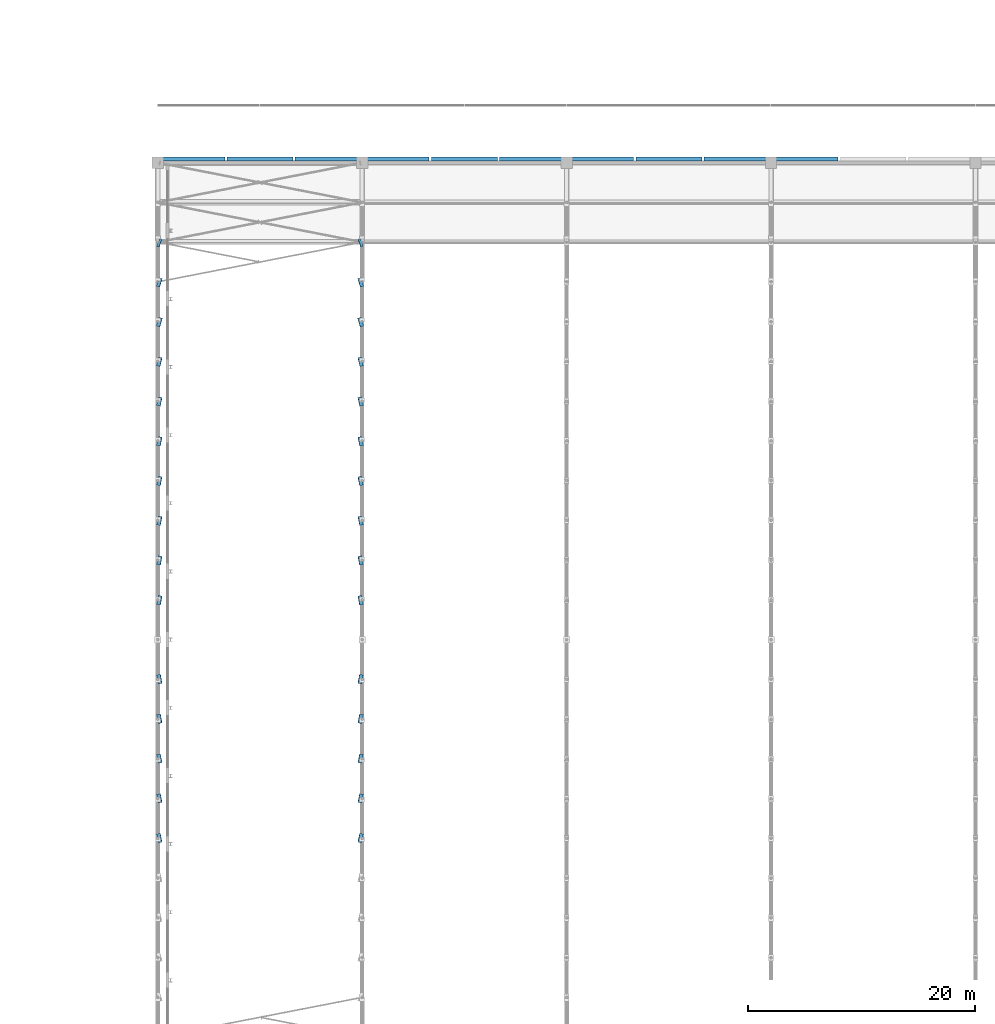
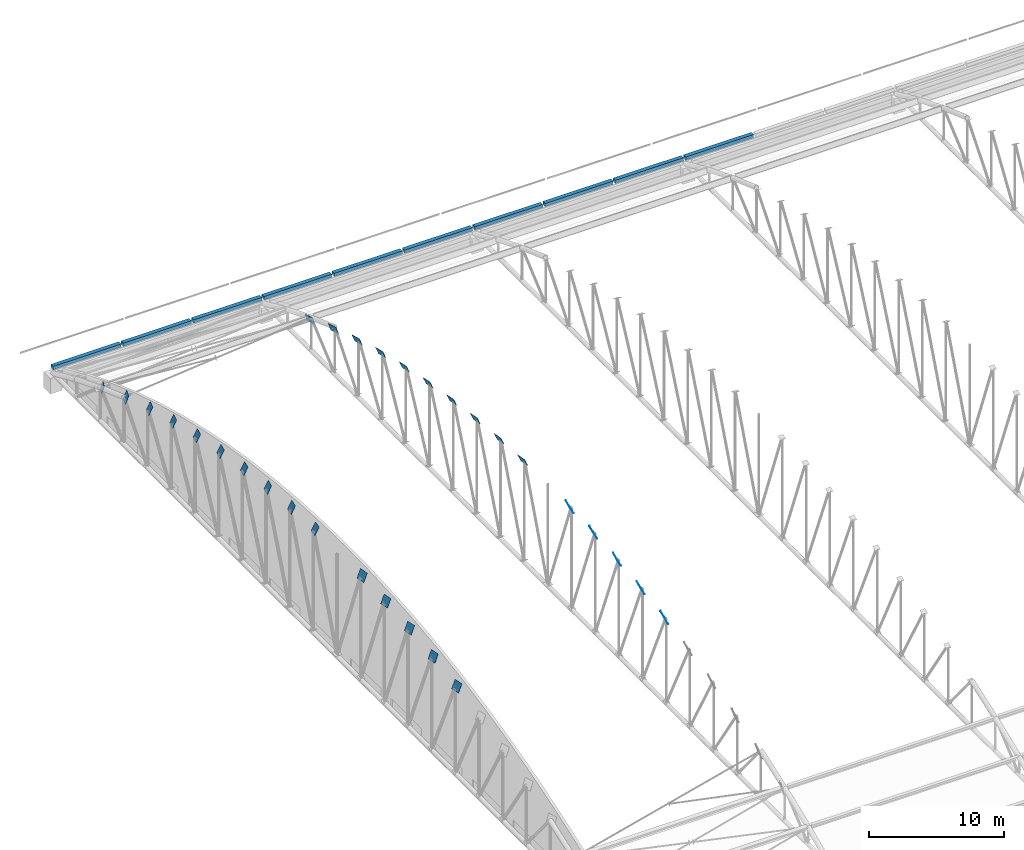
# One storey, part 139 of 196: 40 discrete accessories.
"""IFC4 building model written with IfcOpenShell, lengths in metres."""

from ifc_helpers import new_model, si_unit, direction, frame, origin, origin_2d, place, context, subcontext, project, spatial, rectangle, extrude, material, layer, layer_set, type_object, element, save


model = new_model("IFC4")

# Units and contexts
model_context = context("Model", 3, precision=1e-05, world=origin(), true_north=direction((0.0, 1.0)))
body_context = subcontext(model_context, "Body", "Model", "MODEL_VIEW")
ifc_project = project(units=[si_unit("LENGTHUNIT", "METRE"), si_unit("AREAUNIT", "SQUARE_METRE"), si_unit("VOLUMEUNIT", "CUBIC_METRE"), si_unit("PLANEANGLEUNIT", "RADIAN"), si_unit("MASSUNIT", "GRAM", prefix="KILO")], contexts=[model_context])

# Site, building, storey
site_placement = place(None, origin())
site = spatial("IfcSite", under=ifc_project, at=site_placement, CompositionType="ELEMENT")
building_placement = place(site_placement, origin())
building = spatial("IfcBuilding", under=site, at=building_placement, Name="Okhra Congress Centre", CompositionType="ELEMENT")
storey_placement = place(building_placement, frame((0.0, 0.0, 12.0)))
storey = spatial("IfcBuildingStorey", under=building, at=storey_placement, Name="L02", CompositionType="ELEMENT", Elevation=12.0)

# Discrete accessories
ifc_material_1 = material(Name="Steel S355J2", Category="steel")
ifc_layer = layer(ifc_material_1, 0.02001953125)
ifc_layer_set = layer_set([ifc_layer], Name="Brace end connection plate 20 mm S355")
discrete_accessory_type_1 = type_object("IfcDiscreteAccessoryType", Name="Brace end connection plate 20 mm S355", PredefinedType="BRACKET", material=ifc_layer_set)
discrete_accessory_1_placement = place(storey_placement, frame((28.150390625, 156.531494140625, 9.16259765625), z_axis=(-0.891172137936, -0.18311756259, 0.415066475203), x_axis=(0.20127429835, -0.979534918634, 0.0)))
element("IfcDiscreteAccessory", 1, at=discrete_accessory_1_placement, inside=storey, type_object=discrete_accessory_type_1, Name="Brace end connection plate", PredefinedType="BRACKET", context=body_context, shape_type="SweptSolid", body=[
    extrude(rectangle(XDim=0.7919921875, YDim=0.7919921875, at=origin_2d()), origin(), (0.0, 0.0, 1.0), 0.02001953125),
])
for number, where, z_axis, x_axis, name in (
    (2, (28.150634765625, 160.02978515625, 9.728515625), (-0.89310418461, -0.171280254583, 0.415966332558), (0.188348382319, -0.982102279235, 0.0), "Brace end connection plate"),
    (3, (28.150634765625, 163.528564453125, 10.166259765625), (-0.89310418461, -0.171280254583, 0.415966332558), (0.188348382319, -0.982102279235, 0.0), "Brace end connection plate"),
):
    element("IfcDiscreteAccessory", number, at=place(storey_placement, frame(where, z_axis=z_axis, x_axis=x_axis)), inside=storey, type_object=discrete_accessory_type_1, Name=name, PredefinedType="BRACKET", context=body_context, shape_type="SweptSolid", body=[
        extrude(rectangle(XDim=0.79296875, YDim=0.79296875, at=origin_2d()), origin(), (0.0, 0.0, 1.0), 0.02001953125),
    ])
discrete_accessory_2_placement = place(storey_placement, frame((28.15087890625, 167.02783203125, 10.4775390625), z_axis=(-0.890310108805, -0.158548375541, 0.426861011071), x_axis=(0.175323844201, -0.984510817439, 0.0)))
element("IfcDiscreteAccessory", 4, at=discrete_accessory_2_placement, inside=storey, type_object=discrete_accessory_type_1, Name="Brace end connection plate", PredefinedType="BRACKET", context=body_context, shape_type="SweptSolid", body=[
    extrude(rectangle(XDim=0.794921875, YDim=0.794921875, at=origin_2d()), origin(), (0.0, 0.0, 1.0), 0.02001953125),
])
for number, where, z_axis, x_axis, name in (
    (5, (28.15087890625, 170.527587890625, 10.663330078125), (-0.890310108805, -0.158548375541, 0.426861011071), (0.175323844201, -0.984510817439, 0.0), "Brace end connection plate"),
    (6, (28.15087890625, 177.472412109375, 10.663330078125), (-0.890310108805, 0.158548375541, 0.426861011071), (-0.175323844201, -0.984510817439, 0.0), "Brace end connection plate"),
):
    element("IfcDiscreteAccessory", number, at=place(storey_placement, frame(where, z_axis=z_axis, x_axis=x_axis)), inside=storey, type_object=discrete_accessory_type_1, Name=name, PredefinedType="BRACKET", context=body_context, shape_type="SweptSolid", body=[
        extrude(rectangle(XDim=0.797119140625, YDim=0.797119140625, at=origin_2d()), origin(), (0.0, 0.0, 1.0), 0.02001953125),
    ])
discrete_accessory_3_placement = place(storey_placement, frame((28.15087890625, 180.97216796875, 10.4775390625), z_axis=(-0.890310108805, 0.158548375541, 0.426861011071), x_axis=(-0.175323844201, -0.984510817439, 0.0)))
element("IfcDiscreteAccessory", 7, at=discrete_accessory_3_placement, inside=storey, type_object=discrete_accessory_type_1, Name="Brace end connection plate", PredefinedType="BRACKET", context=body_context, shape_type="SweptSolid", body=[
    extrude(rectangle(XDim=0.794921875, YDim=0.794921875, at=origin_2d()), origin(), (0.0, 0.0, 1.0), 0.02001953125),
])
for number, where, z_axis, x_axis, name in (
    (8, (28.150634765625, 184.471435546875, 10.166259765625), (-0.89310418461, 0.171280254583, 0.415966332558), (-0.188348382319, -0.982102279235, 0.0), "Brace end connection plate"),
    (9, (28.150634765625, 187.97021484375, 9.728515625), (-0.89310418461, 0.171280254583, 0.415966332558), (-0.188348382319, -0.982102279235, 0.0), "Brace end connection plate"),
):
    element("IfcDiscreteAccessory", number, at=place(storey_placement, frame(where, z_axis=z_axis, x_axis=x_axis)), inside=storey, type_object=discrete_accessory_type_1, Name=name, PredefinedType="BRACKET", context=body_context, shape_type="SweptSolid", body=[
        extrude(rectangle(XDim=0.79296875, YDim=0.79296875, at=origin_2d()), origin(), (0.0, 0.0, 1.0), 0.02001953125),
    ])
discrete_accessory_4_placement = place(storey_placement, frame((28.150390625, 191.468505859375, 9.16259765625), z_axis=(-0.891172137936, 0.18311756259, 0.415066475203), x_axis=(-0.20127429835, -0.979534918634, 0.0)))
element("IfcDiscreteAccessory", 10, at=discrete_accessory_4_placement, inside=storey, type_object=discrete_accessory_type_1, Name="Brace end connection plate", PredefinedType="BRACKET", context=body_context, shape_type="SweptSolid", body=[
    extrude(rectangle(XDim=0.7919921875, YDim=0.7919921875, at=origin_2d()), origin(), (0.0, 0.0, 1.0), 0.02001953125),
])
discrete_accessory_5_placement = place(storey_placement, frame((28.150390625, 194.966064453125, 8.46630859375), z_axis=(-0.88652742044, 0.197006093431, 0.418637948541), x_axis=(-0.216930457819, -0.976187060184, 0.0)))
element("IfcDiscreteAccessory", 11, at=discrete_accessory_5_placement, inside=storey, type_object=discrete_accessory_type_1, Name="Brace end connection plate", PredefinedType="BRACKET", context=body_context, shape_type="SweptSolid", body=[
    extrude(rectangle(XDim=0.7919921875, YDim=0.7919921875, at=origin_2d()), origin(), (0.0, 0.0, 1.0), 0.019775390625),
])
discrete_accessory_6_placement = place(storey_placement, frame((28.150634765625, 198.46240234375, 7.63720703125), z_axis=(-0.893371661161, 0.2202834233, 0.391614974756), x_axis=(-0.239404887501, -0.97091982153, 0.0)))
element("IfcDiscreteAccessory", 12, at=discrete_accessory_6_placement, inside=storey, type_object=discrete_accessory_type_1, Name="Brace end connection plate", PredefinedType="BRACKET", context=body_context, shape_type="SweptSolid", body=[
    extrude(rectangle(XDim=0.79296875, YDim=0.79296875, at=origin_2d()), origin(), (0.0, 0.0, 1.0), 0.02001953125),
])
discrete_accessory_7_placement = place(storey_placement, frame((28.15087890625, 201.95703125, 6.671630859375), z_axis=(-0.885645843718, 0.254774831754, 0.388228315054), x_axis=(-0.2764594172, -0.961025593125, 0.0)))
element("IfcDiscreteAccessory", 13, at=discrete_accessory_7_placement, inside=storey, type_object=discrete_accessory_type_1, Name="Brace end connection plate", PredefinedType="BRACKET", context=body_context, shape_type="SweptSolid", body=[
    extrude(rectangle(XDim=0.794921875, YDim=0.794921875, at=origin_2d()), origin(), (0.0, 0.0, 1.0), 0.02001953125),
])
discrete_accessory_8_placement = place(storey_placement, frame((28.1513671875, 205.448974609375, 5.566650390625), z_axis=(-0.891903506248, 0.281010693749, 0.354317831249), x_axis=(-0.300506003221, -0.953779923267, 0.0)))
element("IfcDiscreteAccessory", 14, at=discrete_accessory_8_placement, inside=storey, type_object=discrete_accessory_type_1, Name="Brace end connection plate", PredefinedType="BRACKET", context=body_context, shape_type="SweptSolid", body=[
    extrude(rectangle(XDim=0.800048828125, YDim=0.800048828125, at=origin_2d()), origin(), (0.0, 0.0, 1.0), 0.02001953125),
])
discrete_accessory_9_placement = place(storey_placement, frame((28.151611328125, 208.935302734375, 4.318603515625), z_axis=(-0.888791088931, 0.353081391493, 0.292205289512), x_axis=(-0.36919466432, -0.929352086046, 0.0)))
element("IfcDiscreteAccessory", 15, at=discrete_accessory_9_placement, inside=storey, type_object=discrete_accessory_type_1, Name="Brace end connection plate", PredefinedType="BRACKET", context=body_context, shape_type="SweptSolid", body=[
    extrude(rectangle(XDim=0.73193359375, YDim=0.73193359375, at=origin_2d()), origin(), (0.0, 0.0, 1.0), 0.02001953125),
])
discrete_accessory_10_placement = place(storey_placement, frame((45.849609375, 156.531494140625, 9.16259765625), z_axis=(0.891172137936, -0.18311756259, 0.415066475203), x_axis=(0.20127429835, 0.979534918634, 0.0)))
element("IfcDiscreteAccessory", 16, at=discrete_accessory_10_placement, inside=storey, type_object=discrete_accessory_type_1, Name="Brace end connection plate", PredefinedType="BRACKET", context=body_context, shape_type="SweptSolid", body=[
    extrude(rectangle(XDim=0.7919921875, YDim=0.7919921875, at=origin_2d()), origin(), (0.0, 0.0, 1.0), 0.02001953125),
])
for number, where, z_axis, x_axis, name in (
    (17, (45.849365234375, 160.02978515625, 9.728515625), (0.89310418461, -0.171280254583, 0.415966332558), (0.188348382319, 0.982102279235, 0.0), "Brace end connection plate"),
    (18, (45.849365234375, 163.528564453125, 10.166259765625), (0.89310418461, -0.171280254583, 0.415966332558), (0.188348382319, 0.982102279235, 0.0), "Brace end connection plate"),
):
    element("IfcDiscreteAccessory", number, at=place(storey_placement, frame(where, z_axis=z_axis, x_axis=x_axis)), inside=storey, type_object=discrete_accessory_type_1, Name=name, PredefinedType="BRACKET", context=body_context, shape_type="SweptSolid", body=[
        extrude(rectangle(XDim=0.79296875, YDim=0.79296875, at=origin_2d()), origin(), (0.0, 0.0, 1.0), 0.02001953125),
    ])
discrete_accessory_11_placement = place(storey_placement, frame((45.84912109375, 167.02783203125, 10.4775390625), z_axis=(0.890310108805, -0.158548375541, 0.426861011071), x_axis=(0.175323844201, 0.984510817439, 0.0)))
element("IfcDiscreteAccessory", 19, at=discrete_accessory_11_placement, inside=storey, type_object=discrete_accessory_type_1, Name="Brace end connection plate", PredefinedType="BRACKET", context=body_context, shape_type="SweptSolid", body=[
    extrude(rectangle(XDim=0.794921875, YDim=0.794921875, at=origin_2d()), origin(), (0.0, 0.0, 1.0), 0.02001953125),
])
for number, where, z_axis, x_axis, name in (
    (20, (45.84912109375, 170.527587890625, 10.663330078125), (0.890310108805, -0.158548375541, 0.426861011071), (0.175323844201, 0.984510817439, 0.0), "Brace end connection plate"),
    (21, (45.84912109375, 177.472412109375, 10.663330078125), (0.890310108805, 0.158548375541, 0.426861011071), (-0.175323844201, 0.984510817439, 0.0), "Brace end connection plate"),
):
    element("IfcDiscreteAccessory", number, at=place(storey_placement, frame(where, z_axis=z_axis, x_axis=x_axis)), inside=storey, type_object=discrete_accessory_type_1, Name=name, PredefinedType="BRACKET", context=body_context, shape_type="SweptSolid", body=[
        extrude(rectangle(XDim=0.797119140625, YDim=0.797119140625, at=origin_2d()), origin(), (0.0, 0.0, 1.0), 0.02001953125),
    ])
discrete_accessory_12_placement = place(storey_placement, frame((45.84912109375, 180.97216796875, 10.4775390625), z_axis=(0.890310108805, 0.158548375541, 0.426861011071), x_axis=(-0.175323844201, 0.984510817439, 0.0)))
element("IfcDiscreteAccessory", 22, at=discrete_accessory_12_placement, inside=storey, type_object=discrete_accessory_type_1, Name="Brace end connection plate", PredefinedType="BRACKET", context=body_context, shape_type="SweptSolid", body=[
    extrude(rectangle(XDim=0.794921875, YDim=0.794921875, at=origin_2d()), origin(), (0.0, 0.0, 1.0), 0.02001953125),
])
for number, where, z_axis, x_axis, name in (
    (23, (45.849365234375, 184.471435546875, 10.166259765625), (0.89310418461, 0.171280254583, 0.415966332558), (-0.188348382319, 0.982102279235, 0.0), "Brace end connection plate"),
    (24, (45.849365234375, 187.97021484375, 9.728515625), (0.89310418461, 0.171280254583, 0.415966332558), (-0.188348382319, 0.982102279235, 0.0), "Brace end connection plate"),
):
    element("IfcDiscreteAccessory", number, at=place(storey_placement, frame(where, z_axis=z_axis, x_axis=x_axis)), inside=storey, type_object=discrete_accessory_type_1, Name=name, PredefinedType="BRACKET", context=body_context, shape_type="SweptSolid", body=[
        extrude(rectangle(XDim=0.79296875, YDim=0.79296875, at=origin_2d()), origin(), (0.0, 0.0, 1.0), 0.02001953125),
    ])
discrete_accessory_13_placement = place(storey_placement, frame((45.849609375, 191.468505859375, 9.16259765625), z_axis=(0.891172137936, 0.18311756259, 0.415066475203), x_axis=(-0.20127429835, 0.979534918634, 0.0)))
element("IfcDiscreteAccessory", 25, at=discrete_accessory_13_placement, inside=storey, type_object=discrete_accessory_type_1, Name="Brace end connection plate", PredefinedType="BRACKET", context=body_context, shape_type="SweptSolid", body=[
    extrude(rectangle(XDim=0.7919921875, YDim=0.7919921875, at=origin_2d()), origin(), (0.0, 0.0, 1.0), 0.02001953125),
])
discrete_accessory_14_placement = place(storey_placement, frame((45.849609375, 194.966064453125, 8.46630859375), z_axis=(0.88652742044, 0.197006093431, 0.418637948541), x_axis=(-0.216930457819, 0.976187060184, 0.0)))
element("IfcDiscreteAccessory", 26, at=discrete_accessory_14_placement, inside=storey, type_object=discrete_accessory_type_1, Name="Brace end connection plate", PredefinedType="BRACKET", context=body_context, shape_type="SweptSolid", body=[
    extrude(rectangle(XDim=0.7919921875, YDim=0.7919921875, at=origin_2d()), origin(), (0.0, 0.0, 1.0), 0.019775390625),
])
discrete_accessory_15_placement = place(storey_placement, frame((45.849365234375, 198.46240234375, 7.63720703125), z_axis=(0.893371661161, 0.2202834233, 0.391614974756), x_axis=(-0.239404887501, 0.97091982153, 0.0)))
element("IfcDiscreteAccessory", 27, at=discrete_accessory_15_placement, inside=storey, type_object=discrete_accessory_type_1, Name="Brace end connection plate", PredefinedType="BRACKET", context=body_context, shape_type="SweptSolid", body=[
    extrude(rectangle(XDim=0.79296875, YDim=0.79296875, at=origin_2d()), origin(), (0.0, 0.0, 1.0), 0.02001953125),
])
discrete_accessory_16_placement = place(storey_placement, frame((45.84912109375, 201.95703125, 6.671630859375), z_axis=(0.885645843718, 0.254774831754, 0.388228315054), x_axis=(-0.2764594172, 0.961025593125, 0.0)))
element("IfcDiscreteAccessory", 28, at=discrete_accessory_16_placement, inside=storey, type_object=discrete_accessory_type_1, Name="Brace end connection plate", PredefinedType="BRACKET", context=body_context, shape_type="SweptSolid", body=[
    extrude(rectangle(XDim=0.794921875, YDim=0.794921875, at=origin_2d()), origin(), (0.0, 0.0, 1.0), 0.02001953125),
])
discrete_accessory_17_placement = place(storey_placement, frame((45.8486328125, 205.448974609375, 5.566650390625), z_axis=(0.891903506248, 0.281010693749, 0.354317831249), x_axis=(-0.300506003221, 0.953779923267, 0.0)))
element("IfcDiscreteAccessory", 29, at=discrete_accessory_17_placement, inside=storey, type_object=discrete_accessory_type_1, Name="Brace end connection plate", PredefinedType="BRACKET", context=body_context, shape_type="SweptSolid", body=[
    extrude(rectangle(XDim=0.800048828125, YDim=0.800048828125, at=origin_2d()), origin(), (0.0, 0.0, 1.0), 0.02001953125),
])
discrete_accessory_18_placement = place(storey_placement, frame((45.848388671875, 208.935302734375, 4.318603515625), z_axis=(0.888791088931, 0.353081391493, 0.292205289512), x_axis=(-0.36919466432, 0.929352086046, 0.0)))
element("IfcDiscreteAccessory", 30, at=discrete_accessory_18_placement, inside=storey, type_object=discrete_accessory_type_1, Name="Brace end connection plate", PredefinedType="BRACKET", context=body_context, shape_type="SweptSolid", body=[
    extrude(rectangle(XDim=0.73193359375, YDim=0.73193359375, at=origin_2d()), origin(), (0.0, 0.0, 1.0), 0.02001953125),
])
ifc_material_2 = material(Name="Stainless steel box gutter with self-regulating heating cable", Category="steel")
discrete_accessory_type_2 = type_object("IfcDiscreteAccessoryType", Name="Heated box gutter 350x300", PredefinedType="USERDEFINED", material=ifc_material_2)
for number, where, z_axis, x_axis, name in (
    (31, (31.0, 216.30810546875, 1.59228515625), (0.0, 0.0, 1.0), (1.0, 0.0, 0.0), "Heated box gutter"),
    (32, (37.0, 216.30810546875, 1.59228515625), (0.0, 0.0, 1.0), (1.0, 0.0, 0.0), "Heated box gutter"),
    (33, (43.0, 216.30810546875, 1.59228515625), (0.0, 0.0, 1.0), (1.0, 0.0, 0.0), "Heated box gutter"),
    (34, (49.0, 216.30810546875, 1.59228515625), (0.0, 0.0, 1.0), (1.0, 0.0, 0.0), "Heated box gutter"),
    (35, (55.0, 216.30810546875, 1.59228515625), (0.0, 0.0, 1.0), (1.0, 0.0, 0.0), "Heated box gutter"),
    (36, (61.0, 216.30810546875, 1.59228515625), (0.0, 0.0, 1.0), (1.0, 0.0, 0.0), "Heated box gutter"),
    (37, (67.0, 216.30810546875, 1.59228515625), (0.0, 0.0, 1.0), (1.0, 0.0, 0.0), "Heated box gutter"),
    (38, (73.0, 216.30810546875, 1.59228515625), (0.0, 0.0, 1.0), (1.0, 0.0, 0.0), "Heated box gutter"),
    (39, (79.0, 216.30810546875, 1.59228515625), (0.0, 0.0, 1.0), (1.0, 0.0, 0.0), "Heated box gutter"),
    (40, (85.0, 216.30810546875, 1.59228515625), (0.0, 0.0, 1.0), (1.0, 0.0, 0.0), "Heated box gutter"),
):
    element("IfcDiscreteAccessory", number, at=place(storey_placement, frame(where, z_axis=z_axis, x_axis=x_axis)), inside=storey, type_object=discrete_accessory_type_2, Name=name, ObjectType="HEATED GUTTER", PredefinedType="USERDEFINED", context=body_context, shape_type="SweptSolid", body=[
        extrude(rectangle(XDim=5.800048828125, YDim=0.35009765625, at=origin_2d()), origin(), (0.0, 0.0, 1.0), 0.300048828125),
    ])

save(model, "model.ifc")
